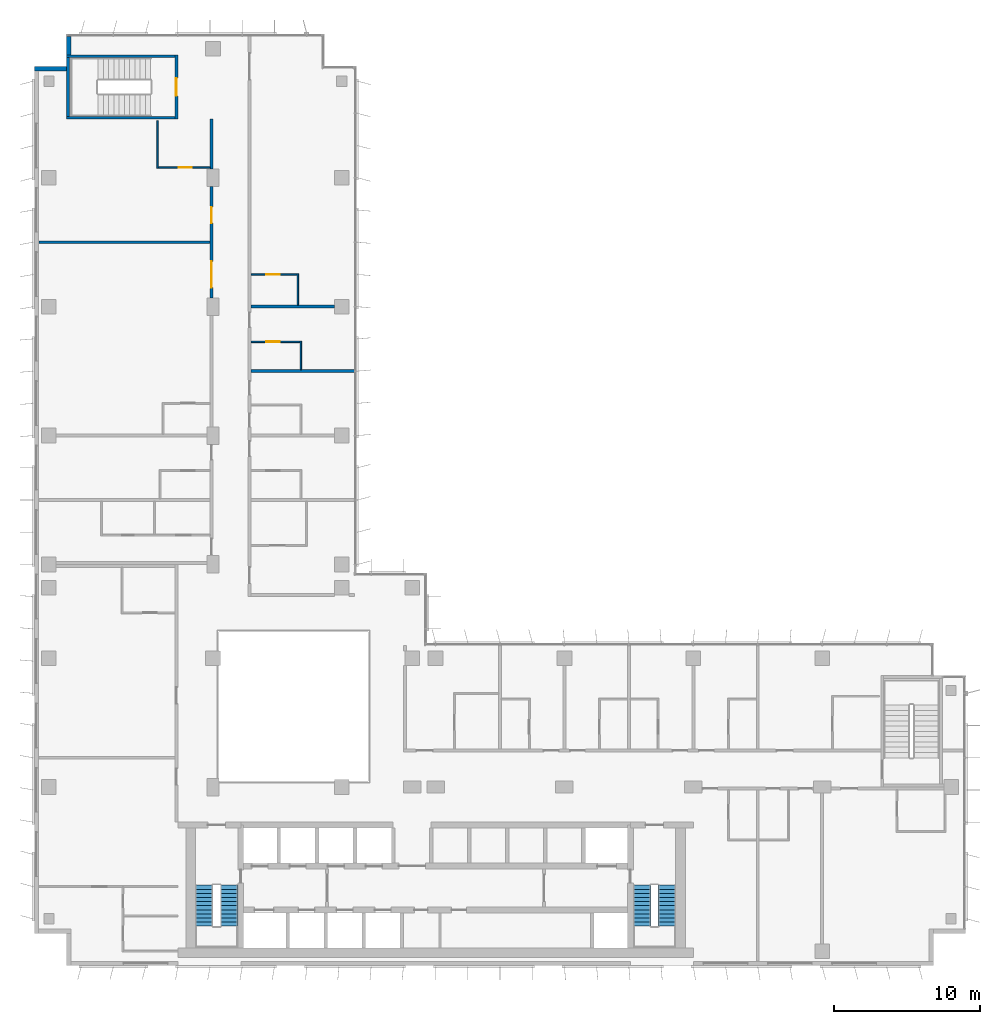
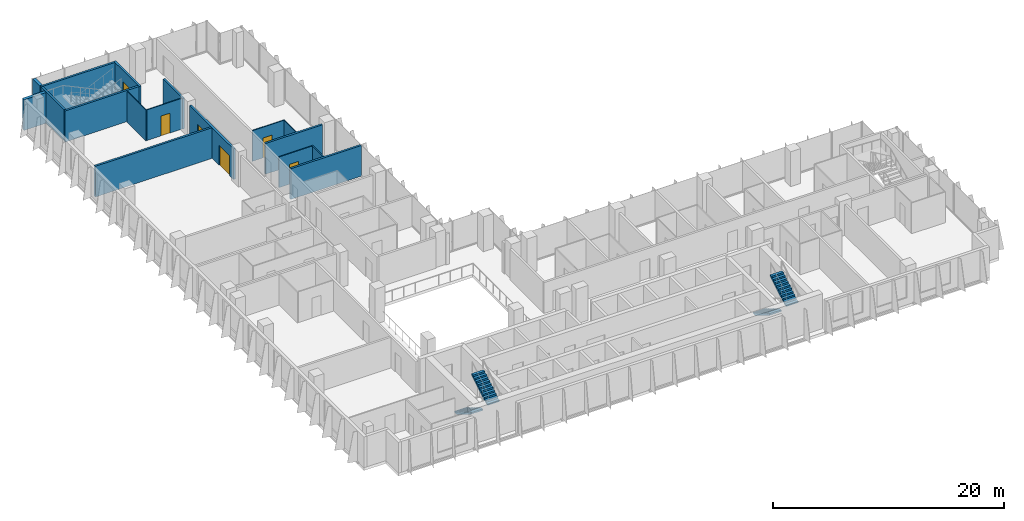
# One storey, part 17 of 21: 17 walls, 6 doors, 4 stair flights, 6 openings, 2 elements without a shape of their own.
"""IFC4 building model written with IfcOpenShell, lengths in metres."""

from ifc_helpers import new_model, si_unit, direction, frame, frame_2d, origin, place, context, subcontext, project, spatial, polyline, rectangle, outline, extrude, material, layer, layer_set, type_object, element, fill, aggregate, save


model = new_model("IFC4")

# Units and contexts
model_context = context("Model", 3, precision=1e-05, world=origin(), true_north=direction((0.0, 1.0)))
body_context = subcontext(model_context, "Body", "Model", "MODEL_VIEW")
ifc_project = project(units=[si_unit("LENGTHUNIT", "METRE"), si_unit("AREAUNIT", "SQUARE_METRE"), si_unit("VOLUMEUNIT", "CUBIC_METRE"), si_unit("PLANEANGLEUNIT", "RADIAN"), si_unit("MASSUNIT", "GRAM", prefix="KILO")], contexts=[model_context])

# Site, building, storey
site_placement = place(None, origin())
site = spatial("IfcSite", under=ifc_project, at=site_placement, CompositionType="ELEMENT")
building_placement = place(site_placement, origin())
building = spatial("IfcBuilding", under=site, at=building_placement, Name="Kemantara Hotel Tower", CompositionType="ELEMENT")
storey_placement = place(building_placement, frame((0.0, 0.0, 198.800048828125)))
storey = spatial("IfcBuildingStorey", under=building, at=storey_placement, Name="L49", CompositionType="ELEMENT", Elevation=198.800048828125)

# Walls
ifc_material_1 = material(Name="Bronze anodised aluminium cladding on insulated steel stud wall", Category="steel")
ifc_layer_1 = layer(ifc_material_1, 0.300048828125)
ifc_layer_set_1 = layer_set([ifc_layer_1], Name="Bronze anodised aluminium cladding on insulated steel stud wall")
wall_type_1 = type_object("IfcWallType", Name="BRONZE METAL-CLAD EXTERNAL WALL 300", PredefinedType="STANDARD", material=ifc_layer_set_1)
wall_1_placement = place(storey_placement, frame((2.35009765625, 63.449951171875, 0.0), z_axis=(0.0, 0.0, 1.0), x_axis=(0.0, -1.0, 0.0)))
element("IfcWall", 1, at=wall_1_placement, inside=storey, type_object=wall_type_1, Name="EXTERNAL WALL L49 T3-R03", PredefinedType="STANDARD", context=body_context, shape_type="SweptSolid", body=[
    extrude(rectangle(XDim=1.25, YDim=0.300048828125, at=frame_2d((0.625, 0.0))), origin(), (0.0, 0.0, 1.0), 3.25),
])
wall_2_placement = place(storey_placement, frame((2.199951171875, 61.25, 0.0), z_axis=(0.0, 0.0, 1.0), x_axis=(-1.0, 0.0, 0.0)))
element("IfcWall", 2, at=wall_2_placement, inside=storey, type_object=wall_type_1, Name="EXTERNAL WALL L49 T3-R04", PredefinedType="STANDARD", context=body_context, shape_type="SweptSolid", body=[
    extrude(rectangle(XDim=2.199951171875, YDim=0.300048828125, at=frame_2d((1.10009765625, 0.0))), origin(), (0.0, 0.0, 1.0), 3.25),
])

# Wall, openings, doors
ifc_material_2 = material(Name="Gypsum board partition, steel studs and mineral wool, 200 mm", Category="steel")
ifc_layer_2 = layer(ifc_material_2, 0.199951171875)
ifc_layer_set_2 = layer_set([ifc_layer_2], Name="Gypsum board partition, steel studs and mineral wool, 200 mm")
wall_type_2 = type_object("IfcWallType", Name="CORRIDOR WALL 200", PredefinedType="PARTITIONING", material=ifc_layer_set_2)
wall_3_placement = place(storey_placement, frame((12.10009765625, 45.60009765625, 0.0), z_axis=(0.0, 0.0, 1.0), x_axis=(0.0, 1.0, 0.0)))
wall_3 = element("IfcWall", 3, at=wall_3_placement, inside=storey, type_object=wall_type_2, Name="CORRIDOR WALL 200 019", PredefinedType="PARTITIONING", context=body_context, shape_type="SweptSolid", body=[
    extrude(rectangle(XDim=7.599853515625, YDim=0.199951171875, at=frame_2d((3.7998046875, 0.0))), origin(), (0.0, 0.0, 1.0), 3.25),
])
opening_1_placement = place(wall_3_placement, frame((0.699951171875, 0.0, 0.0)))
opening_1 = element("IfcOpeningElement", 4, at=opening_1_placement, cuts=wall_3, Name="Opening F23-030", PredefinedType="OPENING", context=body_context, shape_type="SweptSolid", body=[
    extrude(rectangle(XDim=1.800048828125, YDim=2.10009765625, at=frame_2d((0.89990234375, 1.050048828125))), frame((0.0, 0.10986328125, 0.0), z_axis=(0.0, -1.0, 0.0), x_axis=(1.0, 0.0, 0.0)), (0.0, 0.0, 1.0), 0.219970703125),
])
opening_2_placement = place(wall_3_placement, frame((5.099853515625, 0.0, 0.0)))
opening_2 = element("IfcOpeningElement", 5, at=opening_2_placement, cuts=wall_3, Name="Opening F23-032", PredefinedType="OPENING", context=body_context, shape_type="SweptSolid", body=[
    extrude(rectangle(XDim=1.10009765625, YDim=2.10009765625, at=frame_2d((0.550048828125, 1.050048828125))), frame((0.0, 0.10986328125, 0.0), z_axis=(0.0, -1.0, 0.0), x_axis=(1.0, 0.0, 0.0)), (0.0, 0.0, 1.0), 0.219970703125),
])
ifc_material_3 = material(Name="Hardwood veneer door leaf with steel frame", Category="steel")
door_type_1 = type_object("IfcDoorType", Name="GUEST ROOM DOOR 1800 X 2100 FD30S", OperationType="NOTDEFINED", PredefinedType="DOOR", material=ifc_material_3)
door_1_placement = place(opening_1_placement, origin())
door_1 = element("IfcDoor", 6, at=door_1_placement, inside=storey, type_object=door_type_1, Name="GUEST ROOM DOOR F23-030", OperationType="DOUBLE_DOOR_SINGLE_SWING", OverallHeight=2.10009765625, OverallWidth=1.800048828125, PredefinedType="DOOR", context=body_context, shape_type="SweptSolid", body=[
    extrude(rectangle(XDim=1.800048828125, YDim=2.10009765625, at=frame_2d((0.89990234375, 1.050048828125))), frame((0.0, 0.02490234375, 0.0), z_axis=(0.0, -1.0, 0.0), x_axis=(1.0, 0.0, 0.0)), (0.0, 0.0, 1.0), 0.050048828125),
])
fill(opening_1, door_1)
door_type_2 = type_object("IfcDoorType", Name="SUITE ENTRANCE DOOR 1100 X 2100 FD30S", OperationType="NOTDEFINED", PredefinedType="DOOR", material=ifc_material_3)
door_2_placement = place(opening_2_placement, origin())
door_2 = element("IfcDoor", 7, at=door_2_placement, inside=storey, type_object=door_type_2, Name="SUITE ENTRANCE DOOR F23-032", OperationType="SINGLE_SWING_LEFT", OverallHeight=2.10009765625, OverallWidth=1.10009765625, PredefinedType="DOOR", context=body_context, shape_type="SweptSolid", body=[
    extrude(rectangle(XDim=1.10009765625, YDim=2.10009765625, at=frame_2d((0.550048828125, 1.050048828125))), frame((0.0, 0.02490234375, 0.0), z_axis=(0.0, -1.0, 0.0), x_axis=(1.0, 0.0, 0.0)), (0.0, 0.0, 1.0), 0.050048828125),
])
fill(opening_2, door_2)

# Wall
wall_4_placement = place(storey_placement, frame((12.10009765625, 54.400146484375, 0.0), z_axis=(0.0, 0.0, 1.0), x_axis=(0.0, 1.0, 0.0)))
element("IfcWall", 8, at=wall_4_placement, inside=storey, type_object=wall_type_2, Name="CORRIDOR WALL 200 020", PredefinedType="PARTITIONING", context=body_context, shape_type="SweptSolid", body=[
    extrude(rectangle(XDim=3.39990234375, YDim=0.199951171875, at=frame_2d((1.699951171875, 0.0))), origin(), (0.0, 0.0, 1.0), 3.25),
])

# Wall, opening, door
ifc_material_4 = material(Name="Concrete fc 40 MPa", Category="concrete")
ifc_layer_3 = layer(ifc_material_4, 0.199951171875)
ifc_layer_set_3 = layer_set([ifc_layer_3], Name="Concrete fc 40 MPa")
wall_type_3 = type_object("IfcWallType", Name="Concrete stair wall 200 mm", PredefinedType="SHEAR", material=ifc_layer_set_3)
wall_5_placement = place(storey_placement, frame((9.699951171875, 57.800048828125, 0.0), z_axis=(0.0, 0.0, 1.0), x_axis=(0.0, 1.0, 0.0)))
wall_5 = element("IfcWall", 9, at=wall_5_placement, inside=storey, type_object=wall_type_3, Name="Stair ST4 enclosure wall with door", PredefinedType="SHEAR", context=body_context, shape_type="SweptSolid", body=[
    extrude(rectangle(XDim=4.39990234375, YDim=0.199951171875, at=frame_2d((2.199951171875, 0.0))), origin(), (0.0, 0.0, 1.0), 3.300048828125),
])
opening_3_placement = place(wall_5_placement, frame((1.60009765625, 0.0, 0.0)))
opening_3 = element("IfcOpeningElement", 10, at=opening_3_placement, cuts=wall_5, Name="Opening ST4-C", PredefinedType="OPENING", context=body_context, shape_type="SweptSolid", body=[
    extrude(rectangle(XDim=1.199951171875, YDim=2.10009765625, at=frame_2d((0.60009765625, 1.050048828125))), frame((0.0, 0.10986328125, 0.0), z_axis=(0.0, -1.0, 0.0), x_axis=(1.0, 0.0, 0.0)), (0.0, 0.0, 1.0), 0.219970703125),
])
ifc_material_5 = material(Name="Steel fire door", Category="steel")
door_type_3 = type_object("IfcDoorType", Name="Fire door FD90 1200 x 2100", OperationType="NOTDEFINED", PredefinedType="DOOR", material=ifc_material_5)
door_3_placement = place(opening_3_placement, origin())
door_3 = element("IfcDoor", 11, at=door_3_placement, inside=storey, type_object=door_type_3, Name="Stair ST4 door", OperationType="SINGLE_SWING_RIGHT", OverallHeight=2.10009765625, OverallWidth=1.199951171875, PredefinedType="DOOR", context=body_context, shape_type="SweptSolid", body=[
    extrude(rectangle(XDim=1.199951171875, YDim=2.10009765625, at=frame_2d((0.60009765625, 1.050048828125))), frame((0.0, 0.02490234375, 0.0), z_axis=(0.0, -1.0, 0.0), x_axis=(1.0, 0.0, 0.0)), (0.0, 0.0, 1.0), 0.050048828125),
])
fill(opening_3, door_3)

# Walls
for number, where, z_axis, x_axis, name in (
    (12, (2.199951171875, 62.10009765625, 0.0), (0.0, 0.0, 1.0), (1.0, 0.0, 0.0), "Stair ST4 enclosure wall N"),
    (13, (2.199951171875, 57.89990234375, 0.0), (0.0, 0.0, 1.0), (1.0, 0.0, 0.0), "Stair ST4 enclosure wall S"),
):
    element("IfcWall", number, at=place(storey_placement, frame(where, z_axis=z_axis, x_axis=x_axis)), inside=storey, type_object=wall_type_3, Name=name, PredefinedType="SHEAR", context=body_context, shape_type="SweptSolid", body=[
        extrude(rectangle(XDim=7.400146484375, YDim=0.199951171875, at=frame_2d((3.7001953125, 0.0))), origin(), (0.0, 0.0, 1.0), 3.300048828125),
    ])
wall_6_placement = place(storey_placement, frame((2.300048828125, 58.0, 0.0), z_axis=(0.0, 0.0, 1.0), x_axis=(0.0, 1.0, 0.0)))
element("IfcWall", 14, at=wall_6_placement, inside=storey, type_object=wall_type_3, Name="Stair ST4 enclosure wall W", PredefinedType="SHEAR", context=body_context, shape_type="SweptSolid", body=[
    extrude(rectangle(XDim=4.0, YDim=0.199951171875, at=frame_2d((2.0, 0.0))), origin(), (0.0, 0.0, 1.0), 3.300048828125),
])
ifc_layer_4 = layer(ifc_material_2, 0.199951171875)
ifc_layer_set_4 = layer_set([ifc_layer_4], Name="Gypsum board partition, steel studs and mineral wool, 200 mm")
wall_type_4 = type_object("IfcWallType", Name="GUEST ROOM PARTY WALL 200", PredefinedType="PARTITIONING", material=ifc_layer_set_4)
wall_7_placement = place(storey_placement, frame((0.31005859375, 49.39990234375, 0.0), z_axis=(0.0, 0.0, 1.0), x_axis=(1.0, 0.0, 0.0)))
element("IfcWall", 15, at=wall_7_placement, inside=storey, type_object=wall_type_4, Name="GUEST ROOM PARTY WALL 200 026", PredefinedType="PARTITIONING", context=body_context, shape_type="SweptSolid", body=[
    extrude(rectangle(XDim=11.68994140625, YDim=0.199951171875, at=frame_2d((5.844970703125, 0.0))), origin(), (0.0, 0.0, 1.0), 3.25),
])
wall_8_placement = place(storey_placement, frame((14.800048828125, 40.60009765625, 0.0), z_axis=(0.0, 0.0, 1.0), x_axis=(1.0, 0.0, 0.0)))
element("IfcWall", 16, at=wall_8_placement, inside=storey, type_object=wall_type_4, Name="GUEST ROOM PARTY WALL 200 030", PredefinedType="PARTITIONING", context=body_context, shape_type="SweptSolid", body=[
    extrude(rectangle(XDim=7.070068359375, YDim=0.199951171875, at=frame_2d((3.53515625, 0.0))), origin(), (0.0, 0.0, 1.0), 3.25),
])
wall_9_placement = place(storey_placement, frame((14.800048828125, 45.0, 0.0), z_axis=(0.0, 0.0, 1.0), x_axis=(1.0, 0.0, 0.0)))
element("IfcWall", 17, at=wall_9_placement, inside=storey, type_object=wall_type_4, Name="GUEST ROOM PARTY WALL 200 031", PredefinedType="PARTITIONING", context=body_context, shape_type="SweptSolid", body=[
    extrude(rectangle(XDim=5.699951171875, YDim=0.199951171875, at=frame_2d((2.85009765625, 0.0))), origin(), (0.0, 0.0, 1.0), 3.25),
])
ifc_material_6 = material(Name="Gypsum board partition on steel studs, 100 mm", Category="steel")
ifc_layer_5 = layer(ifc_material_6, 0.10009765625)
ifc_layer_set_5 = layer_set([ifc_layer_5], Name="Gypsum board partition on steel studs, 100 mm")
wall_type_5 = type_object("IfcWallType", Name="ROOM PARTITION 100", PredefinedType="PARTITIONING", material=ifc_layer_set_5)
wall_10_placement = place(storey_placement, frame((8.39990234375, 54.449951171875, 0.0), z_axis=(0.0, 0.0, 1.0), x_axis=(0.0, 1.0, 0.0)))
element("IfcWall", 18, at=wall_10_placement, inside=storey, type_object=wall_type_5, Name="ROOM PARTITION 100 065", PredefinedType="PARTITIONING", context=body_context, shape_type="SweptSolid", body=[
    extrude(rectangle(XDim=3.25, YDim=0.10009765625, at=frame_2d((1.625, 0.0))), origin(), (0.0, 0.0, 1.0), 3.25),
])

# Wall, opening, door
wall_11_placement = place(storey_placement, frame((8.449951171875, 54.5, 0.0), z_axis=(0.0, 0.0, 1.0), x_axis=(1.0, 0.0, 0.0)))
wall_11 = element("IfcWall", 19, at=wall_11_placement, inside=storey, type_object=wall_type_5, Name="ROOM PARTITION 100 066", PredefinedType="PARTITIONING", context=body_context, shape_type="SweptSolid", body=[
    extrude(rectangle(XDim=3.550048828125, YDim=0.10009765625, at=frame_2d((1.77490234375, 0.0))), origin(), (0.0, 0.0, 1.0), 3.25),
])
opening_4_placement = place(wall_11_placement, frame((1.39990234375, 0.0, 0.0)))
opening_4 = element("IfcOpeningElement", 20, at=opening_4_placement, cuts=wall_11, Name="Opening F23-033", PredefinedType="OPENING", context=body_context, shape_type="SweptSolid", body=[
    extrude(rectangle(XDim=0.89990234375, YDim=2.10009765625, at=frame_2d((0.449951171875, 1.050048828125))), frame((0.0, 0.06005859375, 0.0), z_axis=(0.0, -1.0, 0.0), x_axis=(1.0, 0.0, 0.0)), (0.0, 0.0, 1.0), 0.1201171875),
])
door_type_4 = type_object("IfcDoorType", Name="BATHROOM DOOR 900 X 2100", OperationType="NOTDEFINED", PredefinedType="DOOR", material=ifc_material_3)
door_4_placement = place(opening_4_placement, origin())
door_4 = element("IfcDoor", 21, at=door_4_placement, inside=storey, type_object=door_type_4, Name="BATHROOM DOOR F23-033", OperationType="SINGLE_SWING_RIGHT", OverallHeight=2.10009765625, OverallWidth=0.89990234375, PredefinedType="DOOR", context=body_context, shape_type="SweptSolid", body=[
    extrude(rectangle(XDim=0.89990234375, YDim=2.10009765625, at=frame_2d((0.449951171875, 1.050048828125))), frame((0.0, 0.02490234375, 0.0), z_axis=(0.0, -1.0, 0.0), x_axis=(1.0, 0.0, 0.0)), (0.0, 0.0, 1.0), 0.050048828125),
])
fill(opening_4, door_4)

# Wall
wall_12_placement = place(storey_placement, frame((18.199951171875, 40.699951171875, 0.0), z_axis=(0.0, 0.0, 1.0), x_axis=(0.0, 1.0, 0.0)))
element("IfcWall", 22, at=wall_12_placement, inside=storey, type_object=wall_type_5, Name="ROOM PARTITION 100 071", PredefinedType="PARTITIONING", context=body_context, shape_type="SweptSolid", body=[
    extrude(rectangle(XDim=1.949951171875, YDim=0.10009765625, at=frame_2d((0.97509765625, 0.0))), origin(), (0.0, 0.0, 1.0), 3.25),
])

# Wall, opening, door
wall_13_placement = place(storey_placement, frame((18.14990234375, 42.60009765625, 0.0), z_axis=(0.0, 0.0, 1.0), x_axis=(-1.0, 0.0, 0.0)))
wall_13 = element("IfcWall", 23, at=wall_13_placement, inside=storey, type_object=wall_type_5, Name="ROOM PARTITION 100 073", PredefinedType="PARTITIONING", context=body_context, shape_type="SweptSolid", body=[
    extrude(rectangle(XDim=3.349853515625, YDim=0.10009765625, at=frame_2d((1.6748046875, 0.0))), origin(), (0.0, 0.0, 1.0), 3.25),
])
opening_5_placement = place(wall_13_placement, frame((1.39990234375, 0.0, 0.0)))
opening_5 = element("IfcOpeningElement", 24, at=opening_5_placement, cuts=wall_13, Name="Opening F23-041", PredefinedType="OPENING", context=body_context, shape_type="SweptSolid", body=[
    extrude(rectangle(XDim=0.89990234375, YDim=2.10009765625, at=frame_2d((0.449951171875, 1.050048828125))), frame((0.0, 0.06005859375, 0.0), z_axis=(0.0, -1.0, 0.0), x_axis=(1.0, 0.0, 0.0)), (0.0, 0.0, 1.0), 0.1201171875),
])
door_5_placement = place(opening_5_placement, origin())
door_5 = element("IfcDoor", 25, at=door_5_placement, inside=storey, type_object=door_type_4, Name="BATHROOM DOOR F23-041", OperationType="SINGLE_SWING_RIGHT", OverallHeight=2.10009765625, OverallWidth=0.89990234375, PredefinedType="DOOR", context=body_context, shape_type="SweptSolid", body=[
    extrude(rectangle(XDim=0.89990234375, YDim=2.10009765625, at=frame_2d((0.449951171875, 1.050048828125))), frame((0.0, 0.02490234375, 0.0), z_axis=(0.0, -1.0, 0.0), x_axis=(1.0, 0.0, 0.0)), (0.0, 0.0, 1.0), 0.050048828125),
])
fill(opening_5, door_5)

# Wall
wall_14_placement = place(storey_placement, frame((18.0, 45.10009765625, 0.0), z_axis=(0.0, 0.0, 1.0), x_axis=(0.0, 1.0, 0.0)))
element("IfcWall", 26, at=wall_14_placement, inside=storey, type_object=wall_type_5, Name="ROOM PARTITION 100 074", PredefinedType="PARTITIONING", context=body_context, shape_type="SweptSolid", body=[
    extrude(rectangle(XDim=2.14990234375, YDim=0.10009765625, at=frame_2d((1.074951171875, 0.0))), origin(), (0.0, 0.0, 1.0), 3.25),
])

# Wall, opening, door
wall_15_placement = place(storey_placement, frame((17.949951171875, 47.199951171875, 0.0), z_axis=(0.0, 0.0, 1.0), x_axis=(-1.0, 0.0, 0.0)))
wall_15 = element("IfcWall", 27, at=wall_15_placement, inside=storey, type_object=wall_type_5, Name="ROOM PARTITION 100 075", PredefinedType="PARTITIONING", context=body_context, shape_type="SweptSolid", body=[
    extrude(rectangle(XDim=3.14990234375, YDim=0.10009765625, at=frame_2d((1.574951171875, 0.0))), origin(), (0.0, 0.0, 1.0), 3.25),
])
opening_6_placement = place(wall_15_placement, frame((1.199951171875, 0.0, 0.0)))
opening_6 = element("IfcOpeningElement", 28, at=opening_6_placement, cuts=wall_15, Name="Opening F23-043", PredefinedType="OPENING", context=body_context, shape_type="SweptSolid", body=[
    extrude(rectangle(XDim=0.89990234375, YDim=2.10009765625, at=frame_2d((0.449951171875, 1.050048828125))), frame((0.0, 0.06005859375, 0.0), z_axis=(0.0, -1.0, 0.0), x_axis=(1.0, 0.0, 0.0)), (0.0, 0.0, 1.0), 0.1201171875),
])
door_type_5 = type_object("IfcDoorType", Name="INTERNAL DOOR 900 X 2100", OperationType="NOTDEFINED", PredefinedType="DOOR", material=ifc_material_3)
door_6_placement = place(opening_6_placement, origin())
door_6 = element("IfcDoor", 29, at=door_6_placement, inside=storey, type_object=door_type_5, Name="INTERNAL DOOR F23-043", OperationType="SINGLE_SWING_RIGHT", OverallHeight=2.10009765625, OverallWidth=0.89990234375, PredefinedType="DOOR", context=body_context, shape_type="SweptSolid", body=[
    extrude(rectangle(XDim=0.89990234375, YDim=2.10009765625, at=frame_2d((0.449951171875, 1.050048828125))), frame((0.0, 0.02490234375, 0.0), z_axis=(0.0, -1.0, 0.0), x_axis=(1.0, 0.0, 0.0)), (0.0, 0.0, 1.0), 0.050048828125),
])
fill(opening_6, door_6)

# Stair, stair flights
stair_type = type_object("IfcStairType", Name="Stair 1200 wide 22 risers of 168 x 280 mm", PredefinedType="HALF_TURN_STAIR", material=ifc_material_4)
stair_1_placement = place(storey_placement, origin())
stair_1 = element("IfcStair", 30, at=stair_1_placement, inside=storey, type_object=stair_type, Name="L49 Exit stair ST1", PredefinedType="HALF_TURN_STAIR")
stair_flight_type = type_object("IfcStairFlightType", Name="Stair flight 1200 wide 168 x 280 mm", PredefinedType="STRAIGHT", material=ifc_material_4)
stair_flight_1_placement = place(storey_placement, frame((11.60009765625, 5.5, 0.0), z_axis=(0.0, 0.0, 1.0), x_axis=(0.0, -1.0, 0.0)))
stair_flight_1 = element("IfcStairFlight", 31, at=stair_flight_1_placement, type_object=stair_flight_type, Name="ST1 flight 1", NumberOfRisers=11, NumberOfTreads=10, PredefinedType="STRAIGHT", RiserHeight=0.168181818, TreadLength=0.28, context=body_context, shape_type="SweptSolid", body=[
    extrude(outline(polyline([(0.0, 0.0), (0.0, 0.168212890625), (0.280029296875, 0.168212890625), (0.280029296875, 0.33642578125), (0.56005859375, 0.33642578125), (0.56005859375, 0.504638671875), (0.840087890625, 0.504638671875), (0.840087890625, 0.672607421875), (1.1201171875, 0.672607421875), (1.1201171875, 0.8408203125), (1.39990234375, 0.8408203125), (1.39990234375, 1.009033203125), (1.679931640625, 1.009033203125), (1.679931640625, 1.17724609375), (1.9599609375, 1.17724609375), (1.9599609375, 1.345458984375), (2.239990234375, 1.345458984375), (2.239990234375, 1.513671875), (2.52001953125, 1.513671875), (2.52001953125, 1.681884765625), (2.800048828125, 1.681884765625), (2.800048828125, 1.85009765625), (2.800048828125, 1.5068359375), (0.291015625, 0.0), (0.0, 0.0)])), frame((0.0, 0.60009765625, 0.0), z_axis=(0.0, -1.0, 0.0), x_axis=(1.0, 0.0, 0.0)), (0.0, 0.0, 1.0), 1.199951171875),
])
stair_flight_2_placement = place(storey_placement, frame((13.300048828125, 2.699951171875, 1.849853515625), z_axis=(0.0, 0.0, 1.0), x_axis=(0.0, 1.0, 0.0)))
stair_flight_2 = element("IfcStairFlight", 32, at=stair_flight_2_placement, type_object=stair_flight_type, Name="ST1 flight 2", NumberOfRisers=11, NumberOfTreads=10, PredefinedType="STRAIGHT", RiserHeight=0.168181818, TreadLength=0.28, context=body_context, shape_type="SweptSolid", body=[
    extrude(outline(polyline([(0.0, 0.0), (0.0, 0.168212890625), (0.280029296875, 0.168212890625), (0.280029296875, 0.33642578125), (0.56005859375, 0.33642578125), (0.56005859375, 0.504638671875), (0.840087890625, 0.504638671875), (0.840087890625, 0.672607421875), (1.1201171875, 0.672607421875), (1.1201171875, 0.8408203125), (1.39990234375, 0.8408203125), (1.39990234375, 1.009033203125), (1.679931640625, 1.009033203125), (1.679931640625, 1.17724609375), (1.9599609375, 1.17724609375), (1.9599609375, 1.345458984375), (2.239990234375, 1.345458984375), (2.239990234375, 1.513671875), (2.52001953125, 1.513671875), (2.52001953125, 1.681884765625), (2.800048828125, 1.681884765625), (2.800048828125, 1.85009765625), (2.800048828125, 1.5068359375), (0.291015625, 0.0), (0.0, 0.0)])), frame((0.0, 0.60009765625, 0.0), z_axis=(0.0, -1.0, 0.0), x_axis=(1.0, 0.0, 0.0)), (0.0, 0.0, 1.0), 1.199951171875),
])
aggregate(stair_1, [stair_flight_1, stair_flight_2])

stair_2_placement = place(storey_placement, origin())
stair_2 = element("IfcStair", 33, at=stair_2_placement, inside=storey, type_object=stair_type, Name="L49 Exit stair ST2", PredefinedType="HALF_TURN_STAIR")
stair_flight_3_placement = place(storey_placement, frame((41.5, 5.5, 0.0), z_axis=(0.0, 0.0, 1.0), x_axis=(0.0, -1.0, 0.0)))
stair_flight_3 = element("IfcStairFlight", 34, at=stair_flight_3_placement, type_object=stair_flight_type, Name="ST2 flight 1", NumberOfRisers=11, NumberOfTreads=10, PredefinedType="STRAIGHT", RiserHeight=0.168181818, TreadLength=0.28, context=body_context, shape_type="SweptSolid", body=[
    extrude(outline(polyline([(0.0, 0.0), (0.0, 0.168212890625), (0.280029296875, 0.168212890625), (0.280029296875, 0.33642578125), (0.56005859375, 0.33642578125), (0.56005859375, 0.504638671875), (0.840087890625, 0.504638671875), (0.840087890625, 0.672607421875), (1.1201171875, 0.672607421875), (1.1201171875, 0.8408203125), (1.39990234375, 0.8408203125), (1.39990234375, 1.009033203125), (1.679931640625, 1.009033203125), (1.679931640625, 1.17724609375), (1.9599609375, 1.17724609375), (1.9599609375, 1.345458984375), (2.239990234375, 1.345458984375), (2.239990234375, 1.513671875), (2.52001953125, 1.513671875), (2.52001953125, 1.681884765625), (2.800048828125, 1.681884765625), (2.800048828125, 1.85009765625), (2.800048828125, 1.5068359375), (0.291015625, 0.0), (0.0, 0.0)])), frame((0.0, 0.60009765625, 0.0), z_axis=(0.0, -1.0, 0.0), x_axis=(1.0, 0.0, 0.0)), (0.0, 0.0, 1.0), 1.199951171875),
])
stair_flight_4_placement = place(storey_placement, frame((43.199951171875, 2.699951171875, 1.849853515625), z_axis=(0.0, 0.0, 1.0), x_axis=(0.0, 1.0, 0.0)))
stair_flight_4 = element("IfcStairFlight", 35, at=stair_flight_4_placement, type_object=stair_flight_type, Name="ST2 flight 2", NumberOfRisers=11, NumberOfTreads=10, PredefinedType="STRAIGHT", RiserHeight=0.168181818, TreadLength=0.28, context=body_context, shape_type="SweptSolid", body=[
    extrude(outline(polyline([(0.0, 0.0), (0.0, 0.168212890625), (0.280029296875, 0.168212890625), (0.280029296875, 0.33642578125), (0.56005859375, 0.33642578125), (0.56005859375, 0.504638671875), (0.840087890625, 0.504638671875), (0.840087890625, 0.672607421875), (1.1201171875, 0.672607421875), (1.1201171875, 0.8408203125), (1.39990234375, 0.8408203125), (1.39990234375, 1.009033203125), (1.679931640625, 1.009033203125), (1.679931640625, 1.17724609375), (1.9599609375, 1.17724609375), (1.9599609375, 1.345458984375), (2.239990234375, 1.345458984375), (2.239990234375, 1.513671875), (2.52001953125, 1.513671875), (2.52001953125, 1.681884765625), (2.800048828125, 1.681884765625), (2.800048828125, 1.85009765625), (2.800048828125, 1.5068359375), (0.291015625, 0.0), (0.0, 0.0)])), frame((0.0, 0.60009765625, 0.0), z_axis=(0.0, -1.0, 0.0), x_axis=(1.0, 0.0, 0.0)), (0.0, 0.0, 1.0), 1.199951171875),
])
aggregate(stair_2, [stair_flight_3, stair_flight_4])

save(model, "model.ifc")
